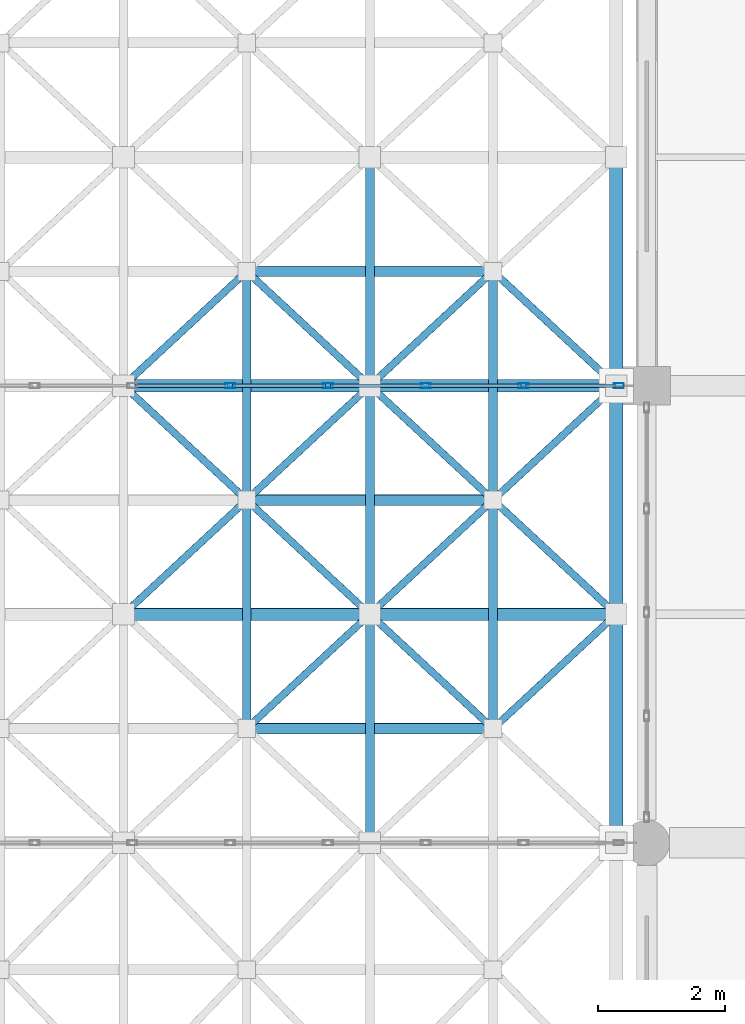
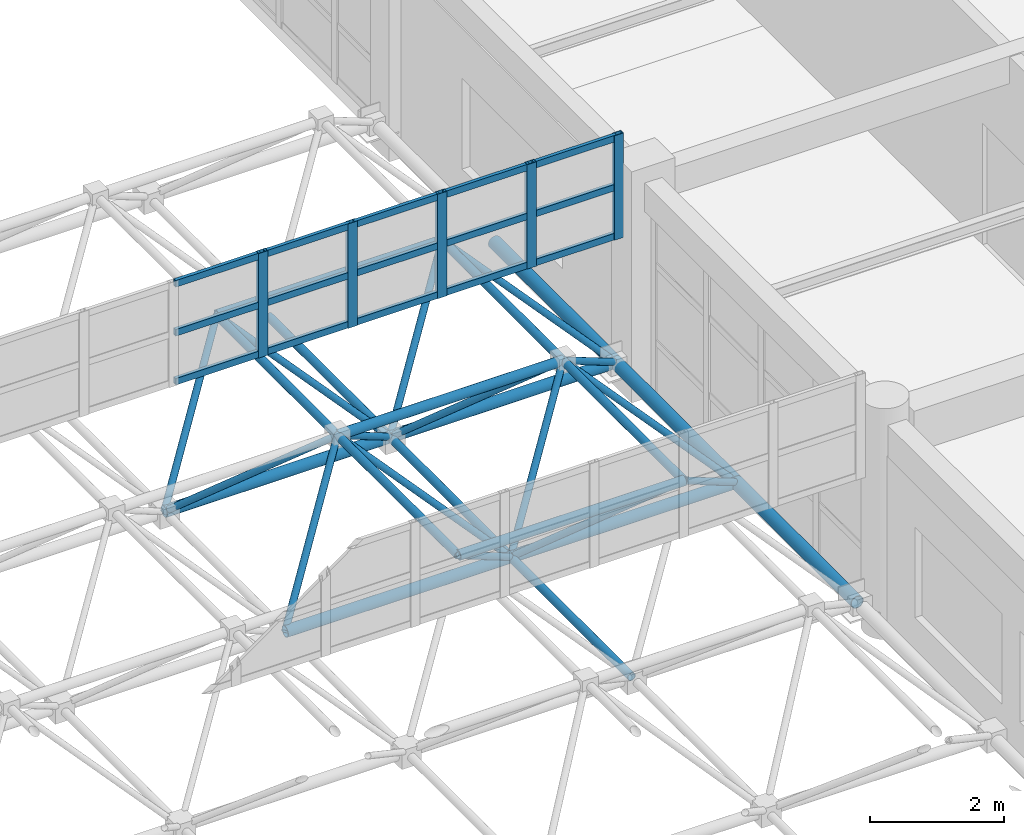
# One storey, part 97 of 195: 52 members, 1 element without a shape of its own.
"""IFC4 building model written with IfcOpenShell, lengths in metres."""

from ifc_helpers import new_model, si_unit, direction, frame, origin, origin_2d, place, context, subcontext, project, spatial, hollow_rectangle, hollow_circle, extrude, material, material_profile, profile_set, type_object, element, aggregate, save


model = new_model("IFC4")

# Units and contexts
model_context = context("Model", 3, precision=1e-05, world=origin(), true_north=direction((0.0, 1.0)))
body_context = subcontext(model_context, "Body", "Model", "MODEL_VIEW")
ifc_project = project(units=[si_unit("LENGTHUNIT", "METRE"), si_unit("AREAUNIT", "SQUARE_METRE"), si_unit("VOLUMEUNIT", "CUBIC_METRE"), si_unit("PLANEANGLEUNIT", "RADIAN"), si_unit("MASSUNIT", "GRAM", prefix="KILO")], contexts=[model_context])

# Site, building, storey
site_placement = place(None, origin())
site = spatial("IfcSite", under=ifc_project, at=site_placement, CompositionType="ELEMENT")
building_placement = place(site_placement, origin())
building = spatial("IfcBuilding", under=site, at=building_placement, Name="Kharva Crest Polytechnic", CompositionType="ELEMENT")
storey_placement = place(building_placement, frame((0.0, 0.0, 9.0)))
storey = spatial("IfcBuildingStorey", under=building, at=storey_placement, Name="L02", CompositionType="ELEMENT", Elevation=9.0)

# Curtain wall, members
ifc_material_1 = material(Name="Tempered insulated glass", Category="glass")
curtain_wall_type = type_object("IfcCurtainWallType", Name="CW-SYS-NORTHLIGHT", PredefinedType="USERDEFINED", material=ifc_material_1)
curtain_wall_placement = place(storey_placement, origin())
curtain_wall = element("IfcCurtainWall", 1, at=curtain_wall_placement, inside=storey, type_object=curtain_wall_type, Name="L02 Glazed Curtain Wall CW-200", ObjectType="CURTAIN WALL", PredefinedType="USERDEFINED")
ifc_material_2 = material(Name="Steel S355", Category="steel")
ifc_material_profile_1 = material_profile(ifc_material_2, hollow_rectangle(XDim=0.080078125, YDim=0.159912109375, WallThickness=0.0048828125, at=origin_2d()), Name="RHS 160X80X5.0")
ifc_profile_set_1 = profile_set([ifc_material_profile_1], Name="Steel S355")
member_type_1 = type_object("IfcMemberType", Name="CWM-RHS160X80", PredefinedType="MULLION", material=ifc_profile_set_1)
member_1_placement = place(storey_placement, frame((25.43994140625, 86.0, 2.85009765625), z_axis=(0.0, 0.0, 1.0), x_axis=(0.0, 1.0, 0.0)))
member_1 = element("IfcMember", 2, at=member_1_placement, type_object=member_type_1, Name="CW-200 mullion 7", PredefinedType="MULLION", context=body_context, shape_type="SweptSolid", body=[
    extrude(hollow_rectangle(XDim=0.080078125, YDim=0.159912109375, WallThickness=0.0048828125, at=origin_2d()), origin(), (0.0, 0.0, 1.0), 1.89990234375),
])
member_2_placement = place(storey_placement, frame((26.97998046875, 86.0, 2.85009765625), z_axis=(0.0, 0.0, 1.0), x_axis=(0.0, 1.0, 0.0)))
member_2 = element("IfcMember", 3, at=member_2_placement, type_object=member_type_1, Name="CW-200 mullion 8", PredefinedType="MULLION", context=body_context, shape_type="SweptSolid", body=[
    extrude(hollow_rectangle(XDim=0.080078125, YDim=0.159912109375, WallThickness=0.0048828125, at=origin_2d()), origin(), (0.0, 0.0, 1.0), 1.89990234375),
])
member_3_placement = place(storey_placement, frame((28.52001953125, 86.0, 2.85009765625), z_axis=(0.0, 0.0, 1.0), x_axis=(0.0, 1.0, 0.0)))
member_3 = element("IfcMember", 4, at=member_3_placement, type_object=member_type_1, Name="CW-200 mullion 9", PredefinedType="MULLION", context=body_context, shape_type="SweptSolid", body=[
    extrude(hollow_rectangle(XDim=0.080078125, YDim=0.159912109375, WallThickness=0.0048828125, at=origin_2d()), origin(), (0.0, 0.0, 1.0), 1.89990234375),
])
member_4_placement = place(storey_placement, frame((30.06005859375, 86.0, 2.85009765625), z_axis=(0.0, 0.0, 1.0), x_axis=(0.0, 1.0, 0.0)))
member_4 = element("IfcMember", 5, at=member_4_placement, type_object=member_type_1, Name="CW-200 mullion 10", PredefinedType="MULLION", context=body_context, shape_type="SweptSolid", body=[
    extrude(hollow_rectangle(XDim=0.080078125, YDim=0.159912109375, WallThickness=0.0048828125, at=origin_2d()), origin(), (0.0, 0.0, 1.0), 1.89990234375),
])
member_5_placement = place(storey_placement, frame((31.56005859375, 86.0, 2.85009765625), z_axis=(0.0, 0.0, 1.0), x_axis=(0.0, 1.0, 0.0)))
member_5 = element("IfcMember", 6, at=member_5_placement, type_object=member_type_1, Name="CW-200 mullion 11", PredefinedType="MULLION", context=body_context, shape_type="SweptSolid", body=[
    extrude(hollow_rectangle(XDim=0.080078125, YDim=0.159912109375, WallThickness=0.0048828125, at=origin_2d()), origin(), (0.0, 0.0, 1.0), 1.89990234375),
])
ifc_material_profile_2 = material_profile(ifc_material_2, hollow_rectangle(XDim=0.06005859375, YDim=0.1201171875, WallThickness=0.00390625, at=origin_2d()), Name="RHS 120X60X4.0")
ifc_profile_set_2 = profile_set([ifc_material_profile_2], Name="Steel S355")
member_type_2 = type_object("IfcMemberType", Name="CWT-RHS120X60", PredefinedType="USERDEFINED", material=ifc_profile_set_2)
member_6_placement = place(storey_placement, frame((23.93994140625, 86.0, 2.909912109375), z_axis=(1.0, 0.0, 0.0), x_axis=(0.0, 1.0, 0.0)))
member_6 = element("IfcMember", 7, at=member_6_placement, type_object=member_type_2, Name="CW-200 transom 6.1", ObjectType="TRANSOM", PredefinedType="USERDEFINED", context=body_context, shape_type="SweptSolid", body=[
    extrude(hollow_rectangle(XDim=0.06005859375, YDim=0.1201171875, WallThickness=0.00390625, at=origin_2d()), origin(), (0.0, 0.0, 1.0), 1.4599609375),
])
member_7_placement = place(storey_placement, frame((23.93994140625, 86.0, 3.800048828125), z_axis=(1.0, 0.0, 0.0), x_axis=(0.0, 1.0, 0.0)))
member_7 = element("IfcMember", 8, at=member_7_placement, type_object=member_type_2, Name="CW-200 transom 6.2", ObjectType="TRANSOM", PredefinedType="USERDEFINED", context=body_context, shape_type="SweptSolid", body=[
    extrude(hollow_rectangle(XDim=0.06005859375, YDim=0.1201171875, WallThickness=0.00390625, at=origin_2d()), origin(), (0.0, 0.0, 1.0), 1.4599609375),
])
member_8_placement = place(storey_placement, frame((23.93994140625, 86.0, 4.68994140625), z_axis=(1.0, 0.0, 0.0), x_axis=(0.0, 1.0, 0.0)))
member_8 = element("IfcMember", 9, at=member_8_placement, type_object=member_type_2, Name="CW-200 transom 6.3", ObjectType="TRANSOM", PredefinedType="USERDEFINED", context=body_context, shape_type="SweptSolid", body=[
    extrude(hollow_rectangle(XDim=0.06005859375, YDim=0.1201171875, WallThickness=0.00390625, at=origin_2d()), origin(), (0.0, 0.0, 1.0), 1.4599609375),
])
member_9_placement = place(storey_placement, frame((25.47998046875, 86.0, 2.909912109375), z_axis=(1.0, 0.0, 0.0), x_axis=(0.0, 1.0, 0.0)))
member_9 = element("IfcMember", 10, at=member_9_placement, type_object=member_type_2, Name="CW-200 transom 7.1", ObjectType="TRANSOM", PredefinedType="USERDEFINED", context=body_context, shape_type="SweptSolid", body=[
    extrude(hollow_rectangle(XDim=0.06005859375, YDim=0.1201171875, WallThickness=0.00390625, at=origin_2d()), origin(), (0.0, 0.0, 1.0), 1.4599609375),
])
member_10_placement = place(storey_placement, frame((25.47998046875, 86.0, 3.800048828125), z_axis=(1.0, 0.0, 0.0), x_axis=(0.0, 1.0, 0.0)))
member_10 = element("IfcMember", 11, at=member_10_placement, type_object=member_type_2, Name="CW-200 transom 7.2", ObjectType="TRANSOM", PredefinedType="USERDEFINED", context=body_context, shape_type="SweptSolid", body=[
    extrude(hollow_rectangle(XDim=0.06005859375, YDim=0.1201171875, WallThickness=0.00390625, at=origin_2d()), origin(), (0.0, 0.0, 1.0), 1.4599609375),
])
member_11_placement = place(storey_placement, frame((25.47998046875, 86.0, 4.68994140625), z_axis=(1.0, 0.0, 0.0), x_axis=(0.0, 1.0, 0.0)))
member_11 = element("IfcMember", 12, at=member_11_placement, type_object=member_type_2, Name="CW-200 transom 7.3", ObjectType="TRANSOM", PredefinedType="USERDEFINED", context=body_context, shape_type="SweptSolid", body=[
    extrude(hollow_rectangle(XDim=0.06005859375, YDim=0.1201171875, WallThickness=0.00390625, at=origin_2d()), origin(), (0.0, 0.0, 1.0), 1.4599609375),
])
member_12_placement = place(storey_placement, frame((27.02001953125, 86.0, 2.909912109375), z_axis=(1.0, 0.0, 0.0), x_axis=(0.0, 1.0, 0.0)))
member_12 = element("IfcMember", 13, at=member_12_placement, type_object=member_type_2, Name="CW-200 transom 8.1", ObjectType="TRANSOM", PredefinedType="USERDEFINED", context=body_context, shape_type="SweptSolid", body=[
    extrude(hollow_rectangle(XDim=0.06005859375, YDim=0.1201171875, WallThickness=0.00390625, at=origin_2d()), origin(), (0.0, 0.0, 1.0), 1.4599609375),
])
member_13_placement = place(storey_placement, frame((27.02001953125, 86.0, 3.800048828125), z_axis=(1.0, 0.0, 0.0), x_axis=(0.0, 1.0, 0.0)))
member_13 = element("IfcMember", 14, at=member_13_placement, type_object=member_type_2, Name="CW-200 transom 8.2", ObjectType="TRANSOM", PredefinedType="USERDEFINED", context=body_context, shape_type="SweptSolid", body=[
    extrude(hollow_rectangle(XDim=0.06005859375, YDim=0.1201171875, WallThickness=0.00390625, at=origin_2d()), origin(), (0.0, 0.0, 1.0), 1.4599609375),
])
member_14_placement = place(storey_placement, frame((27.02001953125, 86.0, 4.68994140625), z_axis=(1.0, 0.0, 0.0), x_axis=(0.0, 1.0, 0.0)))
member_14 = element("IfcMember", 15, at=member_14_placement, type_object=member_type_2, Name="CW-200 transom 8.3", ObjectType="TRANSOM", PredefinedType="USERDEFINED", context=body_context, shape_type="SweptSolid", body=[
    extrude(hollow_rectangle(XDim=0.06005859375, YDim=0.1201171875, WallThickness=0.00390625, at=origin_2d()), origin(), (0.0, 0.0, 1.0), 1.4599609375),
])
member_15_placement = place(storey_placement, frame((28.56005859375, 86.0, 2.909912109375), z_axis=(1.0, 0.0, 0.0), x_axis=(0.0, 1.0, 0.0)))
member_15 = element("IfcMember", 16, at=member_15_placement, type_object=member_type_2, Name="CW-200 transom 9.1", ObjectType="TRANSOM", PredefinedType="USERDEFINED", context=body_context, shape_type="SweptSolid", body=[
    extrude(hollow_rectangle(XDim=0.06005859375, YDim=0.1201171875, WallThickness=0.00390625, at=origin_2d()), origin(), (0.0, 0.0, 1.0), 1.4599609375),
])
member_16_placement = place(storey_placement, frame((28.56005859375, 86.0, 3.800048828125), z_axis=(1.0, 0.0, 0.0), x_axis=(0.0, 1.0, 0.0)))
member_16 = element("IfcMember", 17, at=member_16_placement, type_object=member_type_2, Name="CW-200 transom 9.2", ObjectType="TRANSOM", PredefinedType="USERDEFINED", context=body_context, shape_type="SweptSolid", body=[
    extrude(hollow_rectangle(XDim=0.06005859375, YDim=0.1201171875, WallThickness=0.00390625, at=origin_2d()), origin(), (0.0, 0.0, 1.0), 1.4599609375),
])
member_17_placement = place(storey_placement, frame((28.56005859375, 86.0, 4.68994140625), z_axis=(1.0, 0.0, 0.0), x_axis=(0.0, 1.0, 0.0)))
member_17 = element("IfcMember", 18, at=member_17_placement, type_object=member_type_2, Name="CW-200 transom 9.3", ObjectType="TRANSOM", PredefinedType="USERDEFINED", context=body_context, shape_type="SweptSolid", body=[
    extrude(hollow_rectangle(XDim=0.06005859375, YDim=0.1201171875, WallThickness=0.00390625, at=origin_2d()), origin(), (0.0, 0.0, 1.0), 1.4599609375),
])
member_18_placement = place(storey_placement, frame((30.10009765625, 86.0, 2.909912109375), z_axis=(1.0, 0.0, 0.0), x_axis=(0.0, 1.0, 0.0)))
member_18 = element("IfcMember", 19, at=member_18_placement, type_object=member_type_2, Name="CW-200 transom 10.1", ObjectType="TRANSOM", PredefinedType="USERDEFINED", context=body_context, shape_type="SweptSolid", body=[
    extrude(hollow_rectangle(XDim=0.06005859375, YDim=0.1201171875, WallThickness=0.00390625, at=origin_2d()), origin(), (0.0, 0.0, 1.0), 1.419921875),
])
member_19_placement = place(storey_placement, frame((30.10009765625, 86.0, 3.800048828125), z_axis=(1.0, 0.0, 0.0), x_axis=(0.0, 1.0, 0.0)))
member_19 = element("IfcMember", 20, at=member_19_placement, type_object=member_type_2, Name="CW-200 transom 10.2", ObjectType="TRANSOM", PredefinedType="USERDEFINED", context=body_context, shape_type="SweptSolid", body=[
    extrude(hollow_rectangle(XDim=0.06005859375, YDim=0.1201171875, WallThickness=0.00390625, at=origin_2d()), origin(), (0.0, 0.0, 1.0), 1.419921875),
])
member_20_placement = place(storey_placement, frame((30.10009765625, 86.0, 4.68994140625), z_axis=(1.0, 0.0, 0.0), x_axis=(0.0, 1.0, 0.0)))
member_20 = element("IfcMember", 21, at=member_20_placement, type_object=member_type_2, Name="CW-200 transom 10.3", ObjectType="TRANSOM", PredefinedType="USERDEFINED", context=body_context, shape_type="SweptSolid", body=[
    extrude(hollow_rectangle(XDim=0.06005859375, YDim=0.1201171875, WallThickness=0.00390625, at=origin_2d()), origin(), (0.0, 0.0, 1.0), 1.419921875),
])
aggregate(curtain_wall, [member_1, member_2, member_3, member_4, member_5, member_6, member_7, member_8, member_9, member_10, member_11, member_12, member_13, member_14, member_15, member_16, member_17, member_18, member_19, member_20])

# Members
ifc_material_profile_3 = material_profile(ifc_material_2, hollow_circle(Radius=0.05712890625, WallThickness=0.00634765625, at=origin_2d()), Name="CHS 114.3X6.3")
ifc_profile_set_3 = profile_set([ifc_material_profile_3], Name="Steel S355")
member_type_3 = type_object("IfcMemberType", Name="MEM-CHS114", PredefinedType="BRACE", material=ifc_profile_set_3)
member_21_placement = place(storey_placement, frame((27.639892578125, 82.39990234375, 0.60009765625), z_axis=(-0.606173487576, -0.562384967331, 0.562384967331), x_axis=(0.680132552351, -0.7330891564, 0.0)))
element("IfcMember", 22, at=member_21_placement, inside=storey, type_object=member_type_3, Name="Space Frame Web Diagonal 828", PredefinedType="BRACE", context=body_context, shape_type="SweptSolid", body=[
    extrude(hollow_circle(Radius=0.05712890625, WallThickness=0.00634765625, at=origin_2d()), origin(), (0.0, 0.0, 1.0), 3.2001953125),
])
for number, where, z_axis, x_axis, name in (
    (23, (23.760009765625, 82.39990234375, 0.60009765625), (0.606147481159, 0.562437122903, 0.562360839555), (-0.680182129432, 0.73304315753, 0.0), "Space Frame Web Diagonal 829"),
    (24, (27.639892578125, 82.39990234375, 0.60009765625), (-0.606147481159, 0.562437122903, 0.562360839555), (-0.680182129432, -0.73304315753, 0.0), "Space Frame Web Diagonal 830"),
    (25, (23.760009765625, 86.0, 0.60009765625), (0.606147481159, -0.562437122903, 0.562360839555), (0.680182129432, 0.73304315753, 0.0), "Space Frame Web Diagonal 831"),
    (26, (27.639892578125, 86.0, 0.60009765625), (-0.606147481159, -0.562437122903, 0.562360839555), (0.680182129432, -0.73304315753, 0.0), "Space Frame Web Diagonal 832"),
    (27, (23.760009765625, 86.0, 0.60009765625), (0.606147481159, 0.562437122903, 0.562360839555), (-0.680182129432, 0.73304315753, 0.0), "Space Frame Web Diagonal 833"),
    (28, (27.639892578125, 86.0, 0.60009765625), (-0.606147481159, 0.562437122903, 0.562360839555), (-0.680182129432, -0.73304315753, 0.0), "Space Frame Web Diagonal 834"),
    (29, (27.639892578125, 82.39990234375, 0.60009765625), (0.606221739613, -0.562358961172, 0.562358961172), (0.680086554043, 0.733131829216, 0.0), "Space Frame Web Diagonal 883"),
):
    element("IfcMember", number, at=place(storey_placement, frame(where, z_axis=z_axis, x_axis=x_axis)), inside=storey, type_object=member_type_3, Name=name, PredefinedType="BRACE", context=body_context, shape_type="SweptSolid", body=[
        extrude(hollow_circle(Radius=0.05712890625, WallThickness=0.00634765625, at=origin_2d()), origin(), (0.0, 0.0, 1.0), 3.200439453125),
    ])
member_22_placement = place(storey_placement, frame((31.52001953125, 82.39990234375, 0.60009765625), z_axis=(-0.606173487576, -0.562384967331, 0.562384967331), x_axis=(0.680132552351, -0.7330891564, 0.0)))
element("IfcMember", 30, at=member_22_placement, inside=storey, type_object=member_type_3, Name="Space Frame Web Diagonal 884", PredefinedType="BRACE", context=body_context, shape_type="SweptSolid", body=[
    extrude(hollow_circle(Radius=0.05712890625, WallThickness=0.00634765625, at=origin_2d()), origin(), (0.0, 0.0, 1.0), 3.2001953125),
])
member_23_placement = place(storey_placement, frame((27.639892578125, 82.39990234375, 0.60009765625), z_axis=(0.606195733531, 0.562411116563, 0.562334836743), x_axis=(-0.680136133543, 0.733085833889, 0.0)))
element("IfcMember", 31, at=member_23_placement, inside=storey, type_object=member_type_3, Name="Space Frame Web Diagonal 885", PredefinedType="BRACE", context=body_context, shape_type="SweptSolid", body=[
    extrude(hollow_circle(Radius=0.05712890625, WallThickness=0.00634765625, at=origin_2d()), origin(), (0.0, 0.0, 1.0), 3.20068359375),
])
member_24_placement = place(storey_placement, frame((31.52001953125, 82.39990234375, 0.60009765625), z_axis=(-0.606147481159, 0.562437122903, 0.562360839555), x_axis=(-0.680182129432, -0.73304315753, 0.0)))
element("IfcMember", 32, at=member_24_placement, inside=storey, type_object=member_type_3, Name="Space Frame Web Diagonal 886", PredefinedType="BRACE", context=body_context, shape_type="SweptSolid", body=[
    extrude(hollow_circle(Radius=0.05712890625, WallThickness=0.00634765625, at=origin_2d()), origin(), (0.0, 0.0, 1.0), 3.200439453125),
])
member_25_placement = place(storey_placement, frame((27.639892578125, 86.0, 0.60009765625), z_axis=(0.606195733531, -0.562411116563, 0.562334836743), x_axis=(0.680136133543, 0.733085833889, 0.0)))
element("IfcMember", 33, at=member_25_placement, inside=storey, type_object=member_type_3, Name="Space Frame Web Diagonal 887", PredefinedType="BRACE", context=body_context, shape_type="SweptSolid", body=[
    extrude(hollow_circle(Radius=0.05712890625, WallThickness=0.00634765625, at=origin_2d()), origin(), (0.0, 0.0, 1.0), 3.20068359375),
])
member_26_placement = place(storey_placement, frame((31.52001953125, 86.0, 0.60009765625), z_axis=(-0.606147481159, -0.562437122903, 0.562360839555), x_axis=(0.680182129432, -0.73304315753, 0.0)))
element("IfcMember", 34, at=member_26_placement, inside=storey, type_object=member_type_3, Name="Space Frame Web Diagonal 888", PredefinedType="BRACE", context=body_context, shape_type="SweptSolid", body=[
    extrude(hollow_circle(Radius=0.05712890625, WallThickness=0.00634765625, at=origin_2d()), origin(), (0.0, 0.0, 1.0), 3.200439453125),
])
member_27_placement = place(storey_placement, frame((27.639892578125, 86.0, 0.60009765625), z_axis=(0.606195733531, 0.562411116563, 0.562334836743), x_axis=(-0.680136133543, 0.733085833889, 0.0)))
element("IfcMember", 35, at=member_27_placement, inside=storey, type_object=member_type_3, Name="Space Frame Web Diagonal 889", PredefinedType="BRACE", context=body_context, shape_type="SweptSolid", body=[
    extrude(hollow_circle(Radius=0.05712890625, WallThickness=0.00634765625, at=origin_2d()), origin(), (0.0, 0.0, 1.0), 3.20068359375),
])
member_28_placement = place(storey_placement, frame((31.52001953125, 86.0, 0.60009765625), z_axis=(-0.606147481159, 0.562437122903, 0.562360839555), x_axis=(-0.680182129432, -0.73304315753, 0.0)))
element("IfcMember", 36, at=member_28_placement, inside=storey, type_object=member_type_3, Name="Space Frame Web Diagonal 890", PredefinedType="BRACE", context=body_context, shape_type="SweptSolid", body=[
    extrude(hollow_circle(Radius=0.05712890625, WallThickness=0.00634765625, at=origin_2d()), origin(), (0.0, 0.0, 1.0), 3.200439453125),
])
ifc_material_profile_4 = material_profile(ifc_material_2, hollow_circle(Radius=0.06982421875, WallThickness=0.00634765625, at=origin_2d()), Name="CHS 139.7X6.3")
ifc_profile_set_4 = profile_set([ifc_material_profile_4], Name="Steel S355")
member_type_4 = type_object("IfcMemberType", Name="MEM-CHS139", PredefinedType="CHORD", material=ifc_profile_set_4)
member_29_placement = place(storey_placement, frame((27.639892578125, 78.800048828125, 0.60009765625), z_axis=(0.0, 1.0, 0.0), x_axis=(-1.0, 0.0, 0.0)))
element("IfcMember", 37, at=member_29_placement, inside=storey, type_object=member_type_4, Name="Space Frame Bottom Chord Y 229", PredefinedType="CHORD", context=body_context, shape_type="SweptSolid", body=[
    extrude(hollow_circle(Radius=0.06982421875, WallThickness=0.00634765625, at=origin_2d()), origin(), (0.0, 0.0, 1.0), 3.599853515625),
])
for number, where, z_axis, x_axis, name in (
    (38, (27.639892578125, 82.39990234375, 0.60009765625), (0.0, 1.0, 0.0), (-1.0, 0.0, 0.0), "Space Frame Bottom Chord Y 230"),
    (39, (27.639892578125, 86.0, 0.60009765625), (0.0, 1.0, 0.0), (-1.0, 0.0, 0.0), "Space Frame Bottom Chord Y 231"),
):
    element("IfcMember", number, at=place(storey_placement, frame(where, z_axis=z_axis, x_axis=x_axis)), inside=storey, type_object=member_type_4, Name=name, PredefinedType="CHORD", context=body_context, shape_type="SweptSolid", body=[
        extrude(hollow_circle(Radius=0.06982421875, WallThickness=0.00634765625, at=origin_2d()), origin(), (0.0, 0.0, 1.0), 3.60009765625),
    ])
member_30_placement = place(storey_placement, frame((25.699951171875, 80.60009765625, 2.39990234375), z_axis=(0.0, 1.0, 0.0), x_axis=(-1.0, 0.0, 0.0)))
element("IfcMember", 40, at=member_30_placement, inside=storey, type_object=member_type_4, Name="Space Frame Top Chord Y 433", PredefinedType="CHORD", context=body_context, shape_type="SweptSolid", body=[
    extrude(hollow_circle(Radius=0.06982421875, WallThickness=0.00634765625, at=origin_2d()), origin(), (0.0, 0.0, 1.0), 3.599853515625),
])
member_31_placement = place(storey_placement, frame((25.699951171875, 84.199951171875, 2.39990234375), z_axis=(0.0, 1.0, 0.0), x_axis=(-1.0, 0.0, 0.0)))
element("IfcMember", 41, at=member_31_placement, inside=storey, type_object=member_type_4, Name="Space Frame Top Chord Y 434", PredefinedType="CHORD", context=body_context, shape_type="SweptSolid", body=[
    extrude(hollow_circle(Radius=0.06982421875, WallThickness=0.00634765625, at=origin_2d()), origin(), (0.0, 0.0, 1.0), 3.60009765625),
])
member_32_placement = place(storey_placement, frame((29.580078125, 80.60009765625, 2.39990234375), z_axis=(0.0, 1.0, 0.0), x_axis=(-1.0, 0.0, 0.0)))
element("IfcMember", 42, at=member_32_placement, inside=storey, type_object=member_type_4, Name="Space Frame Top Chord Y 446", PredefinedType="CHORD", context=body_context, shape_type="SweptSolid", body=[
    extrude(hollow_circle(Radius=0.06982421875, WallThickness=0.00634765625, at=origin_2d()), origin(), (0.0, 0.0, 1.0), 3.599853515625),
])
member_33_placement = place(storey_placement, frame((29.580078125, 84.199951171875, 2.39990234375), z_axis=(0.0, 1.0, 0.0), x_axis=(-1.0, 0.0, 0.0)))
element("IfcMember", 43, at=member_33_placement, inside=storey, type_object=member_type_4, Name="Space Frame Top Chord Y 447", PredefinedType="CHORD", context=body_context, shape_type="SweptSolid", body=[
    extrude(hollow_circle(Radius=0.06982421875, WallThickness=0.00634765625, at=origin_2d()), origin(), (0.0, 0.0, 1.0), 3.60009765625),
])
ifc_material_profile_5 = material_profile(ifc_material_2, hollow_circle(Radius=0.084228515625, WallThickness=0.008056640625, at=origin_2d()), Name="CHS 168.3X8.0")
ifc_profile_set_5 = profile_set([ifc_material_profile_5], Name="Steel S355")
member_type_5 = type_object("IfcMemberType", Name="MEM-CHS168", PredefinedType="CHORD", material=ifc_profile_set_5)
for number, where, z_axis, x_axis, name in (
    (44, (25.699951171875, 80.60009765625, 2.39990234375), (1.0, 0.0, 0.0), (0.0, 1.0, 0.0), "Space Frame Top Chord X 323"),
    (45, (25.699951171875, 84.199951171875, 2.39990234375), (1.0, 0.0, 0.0), (0.0, 1.0, 0.0), "Space Frame Top Chord X 330"),
    (46, (25.699951171875, 87.800048828125, 2.39990234375), (1.0, 0.0, 0.0), (0.0, 1.0, 0.0), "Space Frame Top Chord X 337"),
):
    element("IfcMember", number, at=place(storey_placement, frame(where, z_axis=z_axis, x_axis=x_axis)), inside=storey, type_object=member_type_5, Name=name, PredefinedType="CHORD", context=body_context, shape_type="SweptSolid", body=[
        extrude(hollow_circle(Radius=0.084228515625, WallThickness=0.008056640625, at=origin_2d()), origin(), (0.0, 0.0, 1.0), 3.880126953125),
    ])
ifc_material_profile_6 = material_profile(ifc_material_2, hollow_circle(Radius=0.096923828125, WallThickness=0.008056640625, at=origin_2d()), Name="CHS 193.7X8.0")
ifc_profile_set_6 = profile_set([ifc_material_profile_6], Name="Steel S355")
member_type_6 = type_object("IfcMemberType", Name="MEM-CHS193", PredefinedType="CHORD", material=ifc_profile_set_6)
member_34_placement = place(storey_placement, frame((23.760009765625, 82.39990234375, 0.60009765625), z_axis=(1.0, 0.0, 0.0), x_axis=(0.0, 1.0, 0.0)))
element("IfcMember", 47, at=member_34_placement, inside=storey, type_object=member_type_6, Name="Space Frame Bottom Chord X 95", PredefinedType="CHORD", context=body_context, shape_type="SweptSolid", body=[
    extrude(hollow_circle(Radius=0.096923828125, WallThickness=0.008056640625, at=origin_2d()), origin(), (0.0, 0.0, 1.0), 3.8798828125),
])
member_35_placement = place(storey_placement, frame((27.639892578125, 82.39990234375, 0.60009765625), z_axis=(1.0, 0.0, 0.0), x_axis=(0.0, 1.0, 0.0)))
element("IfcMember", 48, at=member_35_placement, inside=storey, type_object=member_type_6, Name="Space Frame Bottom Chord X 96", PredefinedType="CHORD", context=body_context, shape_type="SweptSolid", body=[
    extrude(hollow_circle(Radius=0.096923828125, WallThickness=0.008056640625, at=origin_2d()), origin(), (0.0, 0.0, 1.0), 3.880126953125),
])
member_36_placement = place(storey_placement, frame((23.760009765625, 86.0, 0.60009765625), z_axis=(1.0, 0.0, 0.0), x_axis=(0.0, 1.0, 0.0)))
element("IfcMember", 49, at=member_36_placement, inside=storey, type_object=member_type_6, Name="Space Frame Bottom Chord X 103", PredefinedType="CHORD", context=body_context, shape_type="SweptSolid", body=[
    extrude(hollow_circle(Radius=0.096923828125, WallThickness=0.008056640625, at=origin_2d()), origin(), (0.0, 0.0, 1.0), 3.8798828125),
])
member_37_placement = place(storey_placement, frame((27.639892578125, 86.0, 0.60009765625), z_axis=(1.0, 0.0, 0.0), x_axis=(0.0, 1.0, 0.0)))
element("IfcMember", 50, at=member_37_placement, inside=storey, type_object=member_type_6, Name="Space Frame Bottom Chord X 104", PredefinedType="CHORD", context=body_context, shape_type="SweptSolid", body=[
    extrude(hollow_circle(Radius=0.096923828125, WallThickness=0.008056640625, at=origin_2d()), origin(), (0.0, 0.0, 1.0), 3.880126953125),
])
ifc_material_profile_7 = material_profile(ifc_material_2, hollow_circle(Radius=0.109619140625, WallThickness=0.010009765625, at=origin_2d()), Name="CHS 219.1X10.0")
ifc_profile_set_7 = profile_set([ifc_material_profile_7], Name="Steel S355")
member_type_7 = type_object("IfcMemberType", Name="MEM-CHS219", PredefinedType="CHORD", material=ifc_profile_set_7)
member_38_placement = place(storey_placement, frame((31.52001953125, 78.800048828125, 0.60009765625), z_axis=(0.0, 1.0, 0.0), x_axis=(-1.0, 0.0, 0.0)))
element("IfcMember", 51, at=member_38_placement, inside=storey, type_object=member_type_7, Name="Space Frame Bottom Chord Y 243", PredefinedType="CHORD", context=body_context, shape_type="SweptSolid", body=[
    extrude(hollow_circle(Radius=0.109619140625, WallThickness=0.010009765625, at=origin_2d()), origin(), (0.0, 0.0, 1.0), 3.599853515625),
])
for number, where, z_axis, x_axis, name in (
    (52, (31.52001953125, 82.39990234375, 0.60009765625), (0.0, 1.0, 0.0), (-1.0, 0.0, 0.0), "Space Frame Bottom Chord Y 244"),
    (53, (31.52001953125, 86.0, 0.60009765625), (0.0, 1.0, 0.0), (-1.0, 0.0, 0.0), "Space Frame Bottom Chord Y 245"),
):
    element("IfcMember", number, at=place(storey_placement, frame(where, z_axis=z_axis, x_axis=x_axis)), inside=storey, type_object=member_type_7, Name=name, PredefinedType="CHORD", context=body_context, shape_type="SweptSolid", body=[
        extrude(hollow_circle(Radius=0.109619140625, WallThickness=0.010009765625, at=origin_2d()), origin(), (0.0, 0.0, 1.0), 3.60009765625),
    ])

save(model, "model.ifc")
